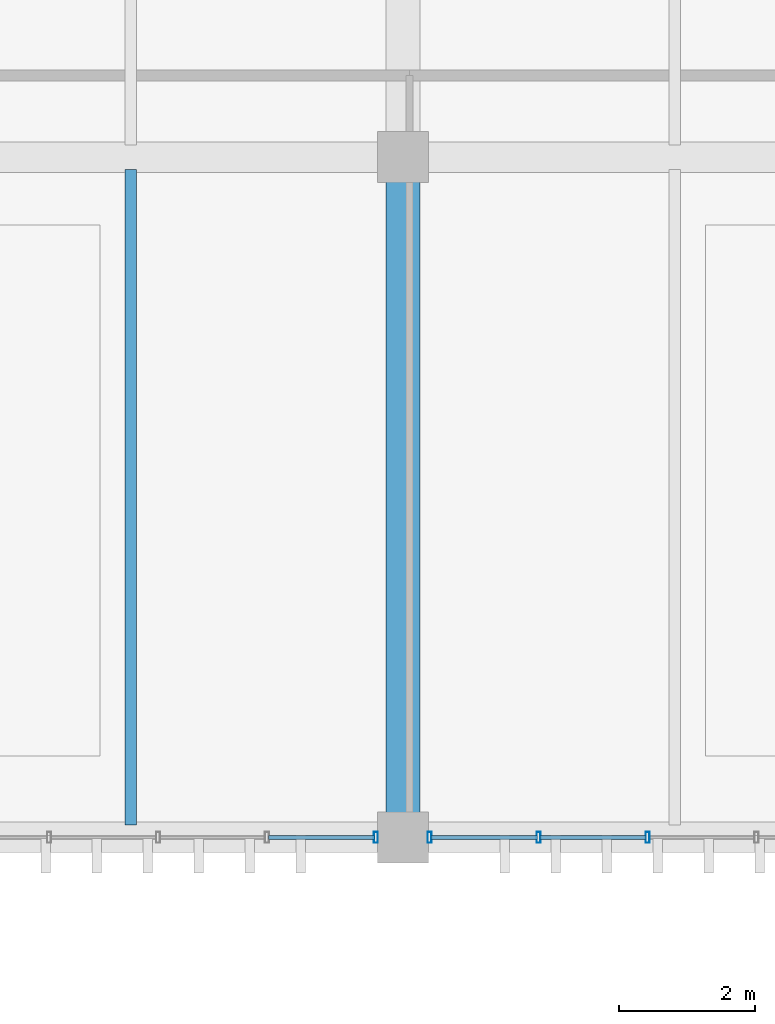
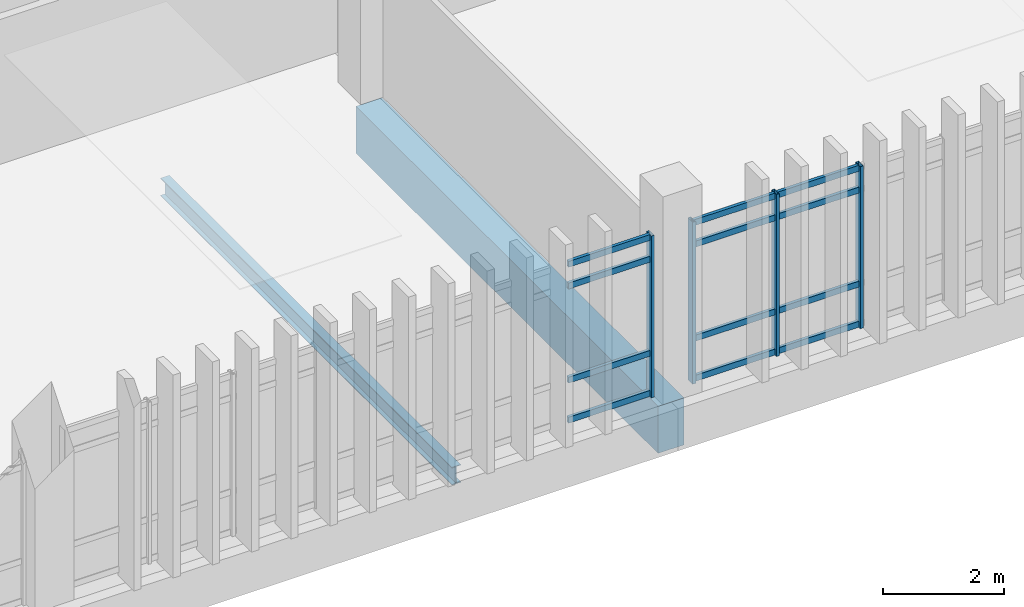
# One storey, part 71 of 161: 16 members, 2 beams, 2 elements without a shape of their own.
"""IFC4 building model written with IfcOpenShell, lengths in metres."""

from ifc_helpers import new_model, si_unit, direction, frame, origin, origin_2d, place, context, subcontext, project, spatial, rectangle, hollow_rectangle, i_section, extrude, material, layer, layer_set, material_profile, profile_set, type_object, element, aggregate, save


model = new_model("IFC4")

# Units and contexts
model_context = context("Model", 3, precision=1e-05, world=origin(), true_north=direction((0.0, 1.0)))
body_context = subcontext(model_context, "Body", "Model", "MODEL_VIEW")
ifc_project = project(units=[si_unit("LENGTHUNIT", "METRE"), si_unit("AREAUNIT", "SQUARE_METRE"), si_unit("VOLUMEUNIT", "CUBIC_METRE"), si_unit("PLANEANGLEUNIT", "RADIAN"), si_unit("MASSUNIT", "GRAM", prefix="KILO")], contexts=[model_context])

# Site, building, storey
site_placement = place(None, origin())
site = spatial("IfcSite", under=ifc_project, at=site_placement, CompositionType="ELEMENT")
building_placement = place(site_placement, origin())
building = spatial("IfcBuilding", under=site, at=building_placement, Name="Mersad Railyard Sports Hall", CompositionType="ELEMENT")
storey_placement = place(building_placement, frame((0.0, 0.0, 4.800048828125)))
storey = spatial("IfcBuildingStorey", under=building, at=storey_placement, Name="L01", CompositionType="ELEMENT", Elevation=4.800048828125)

# Curtain wall, member
ifc_material_1 = material(Name="Aluminium 6063-T6", Category="aluminium")
ifc_layer = layer(ifc_material_1, 0.159912109375)
ifc_layer_set = layer_set([ifc_layer], Name="Aluminium 6063-T6")
curtain_wall_type = type_object("IfcCurtainWallType", Name="ARC-CW-CW37", PredefinedType="USERDEFINED", material=ifc_layer_set)
curtain_wall_1_placement = place(storey_placement, origin())
curtain_wall_1 = element("IfcCurtainWall", 1, at=curtain_wall_1_placement, inside=storey, type_object=curtain_wall_type, Name="Curtain wall CW37-0105", ObjectType="CURTAIN WALL", PredefinedType="USERDEFINED")
ifc_material_profile_1 = material_profile(ifc_material_1, hollow_rectangle(XDim=0.06005859375, YDim=0.159912109375, WallThickness=0.00390625, at=origin_2d()), Name="AL MULLION 60x160x4")
ifc_profile_set_1 = profile_set([ifc_material_profile_1], Name="Aluminium 6063-T6")
member_type_1 = type_object("IfcMemberType", Name="ARC-CW-MUL01", PredefinedType="MULLION", material=ifc_profile_set_1)
member_1_placement = place(storey_placement, frame((66.60498046875, 85.0, -0.02001953125), z_axis=(0.0, 0.0, 1.0), x_axis=(1.0, 0.0, 0.0)))
member_1 = element("IfcMember", 2, at=member_1_placement, type_object=member_type_1, Name="CW37 Mullion 1", PredefinedType="MULLION", context=body_context, shape_type="SweptSolid", body=[
    extrude(hollow_rectangle(XDim=0.06005859375, YDim=0.159912109375, WallThickness=0.00390625, at=origin_2d()), origin(), (0.0, 0.0, 1.0), 3.27001953125),
])

# Curtain wall, members
curtain_wall_2_placement = place(storey_placement, origin())
curtain_wall_2 = element("IfcCurtainWall", 3, at=curtain_wall_2_placement, inside=storey, type_object=curtain_wall_type, Name="Curtain wall CW37-0106", ObjectType="CURTAIN WALL", PredefinedType="USERDEFINED")
member_2_placement = place(storey_placement, frame((70.597900390625, 85.0, -0.02001953125), z_axis=(0.0, 0.0, 1.0), x_axis=(1.0, 0.0, 0.0)))
member_2 = element("IfcMember", 4, at=member_2_placement, type_object=member_type_1, Name="CW37 Mullion 6", PredefinedType="MULLION", context=body_context, shape_type="SweptSolid", body=[
    extrude(hollow_rectangle(XDim=0.06005859375, YDim=0.159912109375, WallThickness=0.00390625, at=origin_2d()), origin(), (0.0, 0.0, 1.0), 3.27001953125),
])
member_3_placement = place(storey_placement, frame((68.996337890625, 85.0, -0.02001953125), z_axis=(0.0, 0.0, 1.0), x_axis=(1.0, 0.0, 0.0)))
member_3 = element("IfcMember", 5, at=member_3_placement, type_object=member_type_1, Name="CW37 Mullion 7", PredefinedType="MULLION", context=body_context, shape_type="SweptSolid", body=[
    extrude(hollow_rectangle(XDim=0.06005859375, YDim=0.159912109375, WallThickness=0.00390625, at=origin_2d()), origin(), (0.0, 0.0, 1.0), 3.27001953125),
])
member_4_placement = place(storey_placement, frame((67.39501953125, 85.0, -0.02001953125), z_axis=(0.0, 0.0, 1.0), x_axis=(1.0, 0.0, 0.0)))
member_4 = element("IfcMember", 6, at=member_4_placement, type_object=member_type_1, Name="CW37 Mullion 8", PredefinedType="MULLION", context=body_context, shape_type="SweptSolid", body=[
    extrude(hollow_rectangle(XDim=0.06005859375, YDim=0.159912109375, WallThickness=0.00390625, at=origin_2d()), origin(), (0.0, 0.0, 1.0), 3.27001953125),
])

# Member
ifc_material_profile_2 = material_profile(ifc_material_1, hollow_rectangle(XDim=0.06005859375, YDim=0.1201171875, WallThickness=0.00390625, at=origin_2d()), Name="AL TRANSOM 60x120x4")
ifc_profile_set_2 = profile_set([ifc_material_profile_2], Name="Aluminium 6063-T6")
member_type_2 = type_object("IfcMemberType", Name="ARC-CW-TRN01", PredefinedType="USERDEFINED", material=ifc_profile_set_2)
member_5_placement = place(storey_placement, frame((66.5849609375, 85.0, 0.0400390625), z_axis=(-1.0, 0.0, 0.0), x_axis=(0.0, -1.0, 0.0)))
member_5 = element("IfcMember", 7, at=member_5_placement, type_object=member_type_2, Name="CW37 Transom 1-1", ObjectType="TRANSOM", PredefinedType="USERDEFINED", context=body_context, shape_type="SweptSolid", body=[
    extrude(hollow_rectangle(XDim=0.06005859375, YDim=0.1201171875, WallThickness=0.00390625, at=origin_2d()), origin(), (0.0, 0.0, 1.0), 1.561279296875),
])

member_6_placement = place(storey_placement, frame((66.5849609375, 85.0, 0.849853515625), z_axis=(-1.0, 0.0, 0.0), x_axis=(0.0, -1.0, 0.0)))
member_6 = element("IfcMember", 8, at=member_6_placement, type_object=member_type_2, Name="CW37 Transom 2-1", ObjectType="TRANSOM", PredefinedType="USERDEFINED", context=body_context, shape_type="SweptSolid", body=[
    extrude(hollow_rectangle(XDim=0.06005859375, YDim=0.1201171875, WallThickness=0.00390625, at=origin_2d()), origin(), (0.0, 0.0, 1.0), 1.561279296875),
])

member_7_placement = place(storey_placement, frame((66.5849609375, 85.0, 2.75), z_axis=(-1.0, 0.0, 0.0), x_axis=(0.0, -1.0, 0.0)))
member_7 = element("IfcMember", 9, at=member_7_placement, type_object=member_type_2, Name="CW37 Transom 3-1", ObjectType="TRANSOM", PredefinedType="USERDEFINED", context=body_context, shape_type="SweptSolid", body=[
    extrude(hollow_rectangle(XDim=0.06005859375, YDim=0.1201171875, WallThickness=0.00390625, at=origin_2d()), origin(), (0.0, 0.0, 1.0), 1.561279296875),
])

member_8_placement = place(storey_placement, frame((66.5849609375, 85.0, 3.18994140625), z_axis=(-1.0, 0.0, 0.0), x_axis=(0.0, -1.0, 0.0)))
member_8 = element("IfcMember", 10, at=member_8_placement, type_object=member_type_2, Name="CW37 Transom 4-1", ObjectType="TRANSOM", PredefinedType="USERDEFINED", context=body_context, shape_type="SweptSolid", body=[
    extrude(hollow_rectangle(XDim=0.06005859375, YDim=0.1201171875, WallThickness=0.00390625, at=origin_2d()), origin(), (0.0, 0.0, 1.0), 1.561279296875),
])

aggregate(curtain_wall_1, [member_1, member_5, member_6, member_7, member_8])

member_9_placement = place(storey_placement, frame((70.577880859375, 85.0, 0.0400390625), z_axis=(-1.0, 0.0, 0.0), x_axis=(0.0, -1.0, 0.0)))
member_9 = element("IfcMember", 11, at=member_9_placement, type_object=member_type_2, Name="CW37 Transom 1-6", ObjectType="TRANSOM", PredefinedType="USERDEFINED", context=body_context, shape_type="SweptSolid", body=[
    extrude(hollow_rectangle(XDim=0.06005859375, YDim=0.1201171875, WallThickness=0.00390625, at=origin_2d()), origin(), (0.0, 0.0, 1.0), 1.5615234375),
])

member_10_placement = place(storey_placement, frame((68.976318359375, 85.0, 0.0400390625), z_axis=(-1.0, 0.0, 0.0), x_axis=(0.0, -1.0, 0.0)))
member_10 = element("IfcMember", 12, at=member_10_placement, type_object=member_type_2, Name="CW37 Transom 1-7", ObjectType="TRANSOM", PredefinedType="USERDEFINED", context=body_context, shape_type="SweptSolid", body=[
    extrude(hollow_rectangle(XDim=0.06005859375, YDim=0.1201171875, WallThickness=0.00390625, at=origin_2d()), origin(), (0.0, 0.0, 1.0), 1.561279296875),
])

member_11_placement = place(storey_placement, frame((70.577880859375, 85.0, 0.849853515625), z_axis=(-1.0, 0.0, 0.0), x_axis=(0.0, -1.0, 0.0)))
member_11 = element("IfcMember", 13, at=member_11_placement, type_object=member_type_2, Name="CW37 Transom 2-6", ObjectType="TRANSOM", PredefinedType="USERDEFINED", context=body_context, shape_type="SweptSolid", body=[
    extrude(hollow_rectangle(XDim=0.06005859375, YDim=0.1201171875, WallThickness=0.00390625, at=origin_2d()), origin(), (0.0, 0.0, 1.0), 1.5615234375),
])

member_12_placement = place(storey_placement, frame((68.976318359375, 85.0, 0.849853515625), z_axis=(-1.0, 0.0, 0.0), x_axis=(0.0, -1.0, 0.0)))
member_12 = element("IfcMember", 14, at=member_12_placement, type_object=member_type_2, Name="CW37 Transom 2-7", ObjectType="TRANSOM", PredefinedType="USERDEFINED", context=body_context, shape_type="SweptSolid", body=[
    extrude(hollow_rectangle(XDim=0.06005859375, YDim=0.1201171875, WallThickness=0.00390625, at=origin_2d()), origin(), (0.0, 0.0, 1.0), 1.561279296875),
])

member_13_placement = place(storey_placement, frame((70.577880859375, 85.0, 2.75), z_axis=(-1.0, 0.0, 0.0), x_axis=(0.0, -1.0, 0.0)))
member_13 = element("IfcMember", 15, at=member_13_placement, type_object=member_type_2, Name="CW37 Transom 3-6", ObjectType="TRANSOM", PredefinedType="USERDEFINED", context=body_context, shape_type="SweptSolid", body=[
    extrude(hollow_rectangle(XDim=0.06005859375, YDim=0.1201171875, WallThickness=0.00390625, at=origin_2d()), origin(), (0.0, 0.0, 1.0), 1.5615234375),
])

member_14_placement = place(storey_placement, frame((68.976318359375, 85.0, 2.75), z_axis=(-1.0, 0.0, 0.0), x_axis=(0.0, -1.0, 0.0)))
member_14 = element("IfcMember", 16, at=member_14_placement, type_object=member_type_2, Name="CW37 Transom 3-7", ObjectType="TRANSOM", PredefinedType="USERDEFINED", context=body_context, shape_type="SweptSolid", body=[
    extrude(hollow_rectangle(XDim=0.06005859375, YDim=0.1201171875, WallThickness=0.00390625, at=origin_2d()), origin(), (0.0, 0.0, 1.0), 1.561279296875),
])

member_15_placement = place(storey_placement, frame((70.577880859375, 85.0, 3.18994140625), z_axis=(-1.0, 0.0, 0.0), x_axis=(0.0, -1.0, 0.0)))
member_15 = element("IfcMember", 17, at=member_15_placement, type_object=member_type_2, Name="CW37 Transom 4-6", ObjectType="TRANSOM", PredefinedType="USERDEFINED", context=body_context, shape_type="SweptSolid", body=[
    extrude(hollow_rectangle(XDim=0.06005859375, YDim=0.1201171875, WallThickness=0.00390625, at=origin_2d()), origin(), (0.0, 0.0, 1.0), 1.5615234375),
])

member_16_placement = place(storey_placement, frame((68.976318359375, 85.0, 3.18994140625), z_axis=(-1.0, 0.0, 0.0), x_axis=(0.0, -1.0, 0.0)))
member_16 = element("IfcMember", 18, at=member_16_placement, type_object=member_type_2, Name="CW37 Transom 4-7", ObjectType="TRANSOM", PredefinedType="USERDEFINED", context=body_context, shape_type="SweptSolid", body=[
    extrude(hollow_rectangle(XDim=0.06005859375, YDim=0.1201171875, WallThickness=0.00390625, at=origin_2d()), origin(), (0.0, 0.0, 1.0), 1.561279296875),
])

aggregate(curtain_wall_2, [member_2, member_3, member_4, member_9, member_10, member_11, member_12, member_13, member_14, member_15, member_16])

# Beams
ifc_material_2 = material(Name="Concrete C50/60", Category="concrete")
ifc_material_profile_3 = material_profile(ifc_material_2, rectangle(XDim=0.5, YDim=0.949951171875, at=origin_2d()), Name="RC 500x950")
ifc_profile_set_3 = profile_set([ifc_material_profile_3], Name="Concrete C50/60")
beam_type_1 = type_object("IfcBeamType", Name="STR-BM-B03", PredefinedType="BEAM", material=ifc_profile_set_3)
beam_1_placement = place(storey_placement, frame((67.0, 85.0, -0.775146484375), z_axis=(0.0, 1.0, 0.0), x_axis=(-1.0, 0.0, 0.0)))
element("IfcBeam", 19, at=beam_1_placement, inside=storey, type_object=beam_type_1, Name="Beam B03-0962", PredefinedType="BEAM", context=body_context, shape_type="SweptSolid", body=[
    extrude(rectangle(XDim=0.5, YDim=0.949951171875, at=origin_2d()), origin(), (0.0, 0.0, 1.0), 10.0),
])
ifc_material_3 = material(Name="Steel S355", Category="steel")
ifc_material_profile_4 = material_profile(ifc_material_3, i_section(OverallWidth=0.169921875, OverallDepth=0.360107421875, WebThickness=0.008056640625, FlangeThickness=0.0126953125, at=origin_2d()), Name="IPE 360")
ifc_profile_set_4 = profile_set([ifc_material_profile_4], Name="Steel S355")
beam_type_2 = type_object("IfcBeamType", Name="STR-BM-J03", PredefinedType="JOIST", material=ifc_profile_set_4)
beam_2_placement = place(storey_placement, frame((63.0, 85.179931640625, -0.47998046875), z_axis=(0.0, 1.0, 0.0), x_axis=(-1.0, 0.0, 0.0)))
element("IfcBeam", 20, at=beam_2_placement, inside=storey, type_object=beam_type_2, Name="Beam J03-1013", PredefinedType="JOIST", context=body_context, shape_type="SweptSolid", body=[
    extrude(i_section(OverallWidth=0.169921875, OverallDepth=0.360107421875, WebThickness=0.008056640625, FlangeThickness=0.0126953125, at=origin_2d()), origin(), (0.0, 0.0, 1.0), 9.64013671875),
])

save(model, "model.ifc")
